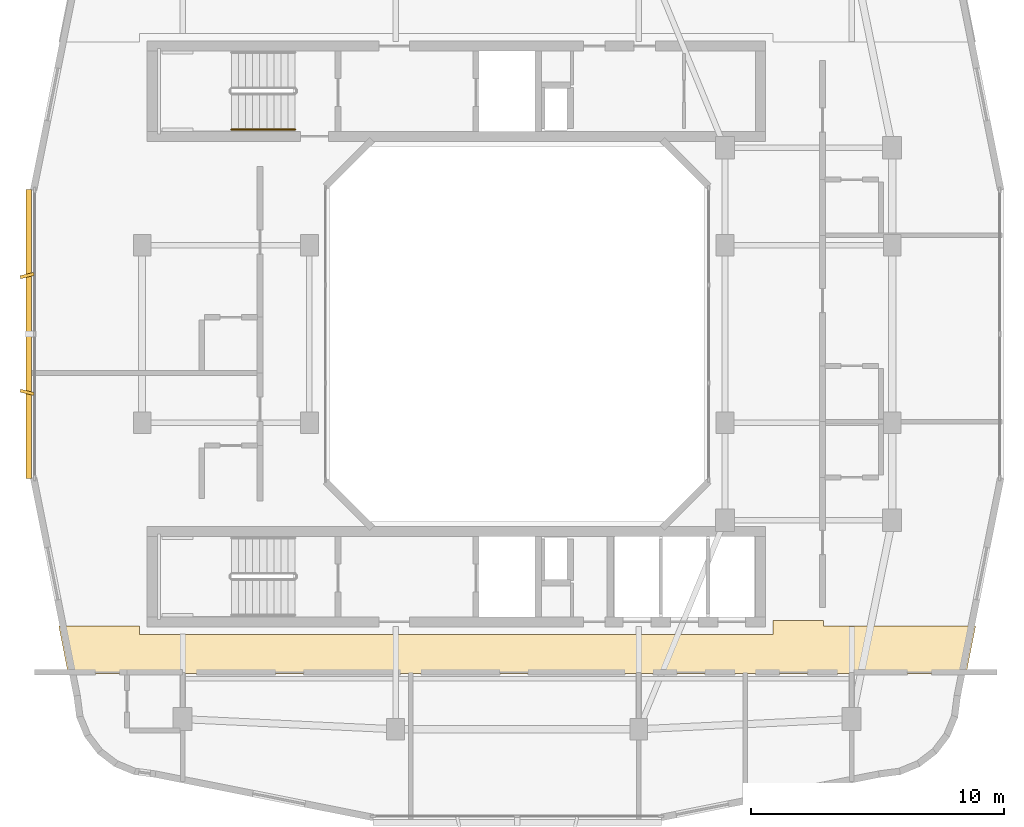
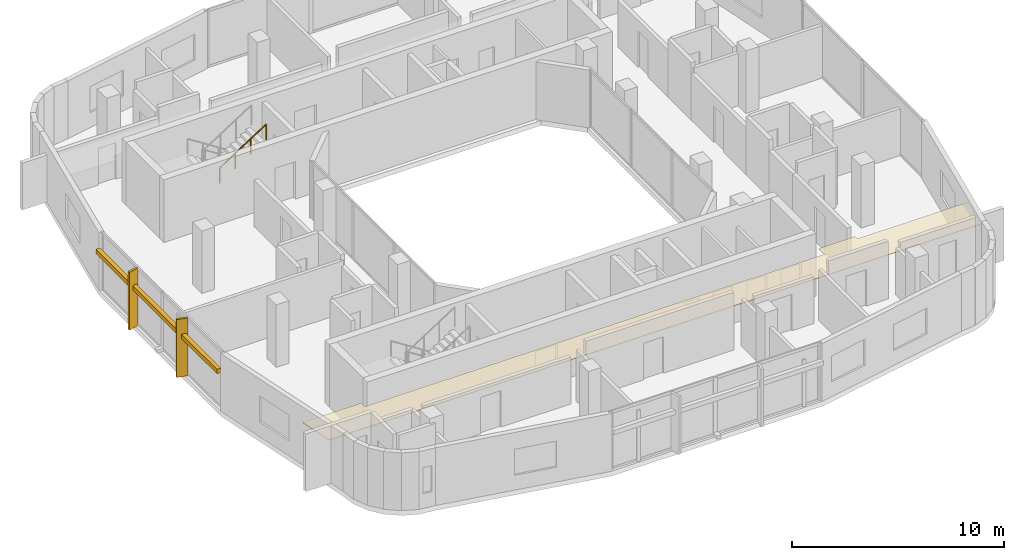
# One storey, part 12 of 14: 3 shading devices, 1 covering, 1 railing.
"""IFC4 building model written with IfcOpenShell, lengths in metres."""

from ifc_helpers import new_model, si_unit, derived_unit, direction, frame, origin, origin_2d, place, context, subcontext, project, spatial, polyline, rectangle, circle, outline, extrude, material, layer, layer_set, type_object, element, save


model = new_model("IFC4")

# Units and contexts
model_context = context("Model", 3, precision=1e-05, world=origin(), true_north=direction((0.0, 1.0)))
body_context = subcontext(model_context, "Body", "Model", "MODEL_VIEW")
ifc_project = project(units=[si_unit("LENGTHUNIT", "METRE"), si_unit("AREAUNIT", "SQUARE_METRE"), si_unit("VOLUMEUNIT", "CUBIC_METRE"), si_unit("PLANEANGLEUNIT", "RADIAN"), si_unit("MASSUNIT", "GRAM", prefix="KILO"), derived_unit("THERMALTRANSMITTANCEUNIT", [(si_unit("POWERUNIT", "WATT"), 1), (si_unit("LENGTHUNIT", "METRE"), -2), (si_unit("THERMODYNAMICTEMPERATUREUNIT", "KELVIN"), -1)])], contexts=[model_context])

# Site, building, storey
site_placement = place(None, origin())
site = spatial("IfcSite", under=ifc_project, at=site_placement, CompositionType="ELEMENT")
building_placement = place(site_placement, origin())
building = spatial("IfcBuilding", under=site, at=building_placement, Name="Kivonza Crest Hotel", CompositionType="ELEMENT")
storey_placement = place(building_placement, frame((0.0, 0.0, 209.89990234375)))
storey = spatial("IfcBuildingStorey", under=building, at=storey_placement, Name="L57", CompositionType="ELEMENT", Elevation=209.89990234375)

# Covering
ifc_material_1 = material(Name="Moisture-resistant gypsum plasterboard ceiling", Category="gypsum")
ifc_layer = layer(ifc_material_1, 0.030029296875)
ifc_layer_set = layer_set([ifc_layer], Name="Moisture-resistant gypsum plasterboard ceiling")
covering_type = type_object("IfcCoveringType", Name="CV-CEIL-GYP", PredefinedType="CEILING", material=ifc_layer_set)
covering_placement = place(storey_placement, frame((0.0, 0.0, 2.4501953125)))
element("IfcCovering", 1, at=covering_placement, inside=storey, type_object=covering_type, Name="L57 Hotel South Guest Corridor suspended ceiling", PredefinedType="CEILING", context=body_context, shape_type="SweptSolid", body=[
    extrude(outline(polyline([(33.090087890625, 13.47998046875), (33.090087890625, 13.68994140625), (31.10009765625, 13.68994140625), (31.10009765625, 13.139892578125), (6.10009765625, 13.139892578125), (6.10009765625, 13.47998046875), (2.906005859375, 13.47998046875), (3.278076171875, 11.610107421875), (38.721923828125, 11.610107421875), (39.093994140625, 13.47998046875), (33.090087890625, 13.47998046875)])), origin(), (0.0, 0.0, 1.0), 0.02978515625),
])

# Railing
ifc_material_2 = material(Name="Brushed stainless steel handrail", Category="steel")
railing_type = type_object("IfcRailingType", Name="RL-HAND-900", PredefinedType="HANDRAIL", material=ifc_material_2)
railing_placement = place(storey_placement, frame((9.719970703125, 33.070068359375, 1.97998046875)))
element("IfcRailing", 2, at=railing_placement, inside=storey, type_object=railing_type, Name="L57 ST-T1-N stair handrail 2", PredefinedType="HANDRAIL", context=body_context, shape_type="SweptSolid", body=[
    extrude(circle(Radius=0.02392578125, at=origin_2d()), frame((0.0, 0.0, 0.8759765625), z_axis=(0.841162588446, 0.0, 0.540782303519), x_axis=(0.0, 1.0, 0.0)), (0.0, 0.0, 1.0), 2.995849609375),
    extrude(circle(Radius=0.02099609375, at=origin_2d()), origin(), (0.0, 0.0, 1.0), 0.851806640625),
    extrude(circle(Radius=0.02099609375, at=origin_2d()), frame((0.840087890625, 0.0, 0.5400390625)), (0.0, 0.0, 1.0), 0.851806640625),
    extrude(circle(Radius=0.02099609375, at=origin_2d()), frame((1.679931640625, 0.0, 1.080078125)), (0.0, 0.0, 1.0), 0.851806640625),
    extrude(circle(Radius=0.02099609375, at=origin_2d()), frame((2.52001953125, 0.0, 1.6201171875)), (0.0, 0.0, 1.0), 0.851806640625),
])

# Shading devices
ifc_material_3 = material(Name="Kiln-fired Nairobi red-ochre terracotta", Category="masonry")
shading_device_type_1 = type_object("IfcShadingDeviceType", Name="SH-BAGUETTE-300", PredefinedType="USERDEFINED", material=ifc_material_3)
shading_device_placement = place(storey_placement, frame((1.719970703125, 25.0, 2.1943359375), z_axis=(0.0, 0.0, 1.0), x_axis=(0.0, -1.0, 0.0)))
element("IfcShadingDevice", 3, at=shading_device_placement, inside=storey, type_object=shading_device_type_1, Name="L57 terracotta baguette screen CW-T1-L57-35", ObjectType="BAGUETTE", PredefinedType="USERDEFINED", context=body_context, shape_type="SweptSolid", body=[
    extrude(rectangle(XDim=11.39990234375, YDim=0.219970703125, at=origin_2d()), origin(), (0.0, 0.0, 1.0), 0.260009765625),
])
ifc_material_4 = material(Name="Kiln-fired terracotta over extruded aluminium spine", Category="masonry")
shading_device_type_2 = type_object("IfcShadingDeviceType", Name="SH-FIN-550", PredefinedType="USERDEFINED", material=ifc_material_4)
for number, where, z_axis, x_axis, name in (
    (4, (1.659912109375, 27.303955078125, 0.0), (0.0, 0.0, 1.0), (0.2419218956, -0.970295726276, 0.0), "L57 vertical solar shading fin CW-T1-L57-35-1"),
    (5, (1.659912109375, 22.696044921875, 0.0), (0.0, 0.0, 1.0), (-0.2419218956, -0.970295726276, 0.0), "L57 vertical solar shading fin CW-T1-L57-35-2"),
):
    element("IfcShadingDevice", number, at=place(storey_placement, frame(where, z_axis=z_axis, x_axis=x_axis)), inside=storey, type_object=shading_device_type_2, Name=name, ObjectType="FIN", PredefinedType="USERDEFINED", context=body_context, shape_type="SweptSolid", body=[
        extrude(rectangle(XDim=0.1201171875, YDim=0.550048828125, at=origin_2d()), origin(), (0.0, 0.0, 1.0), 3.320068359375),
    ])

save(model, "model.ifc")
